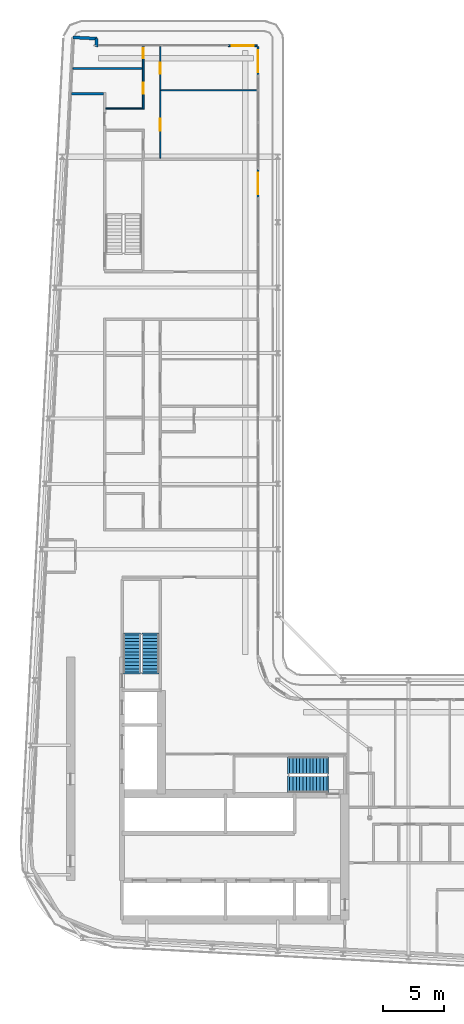
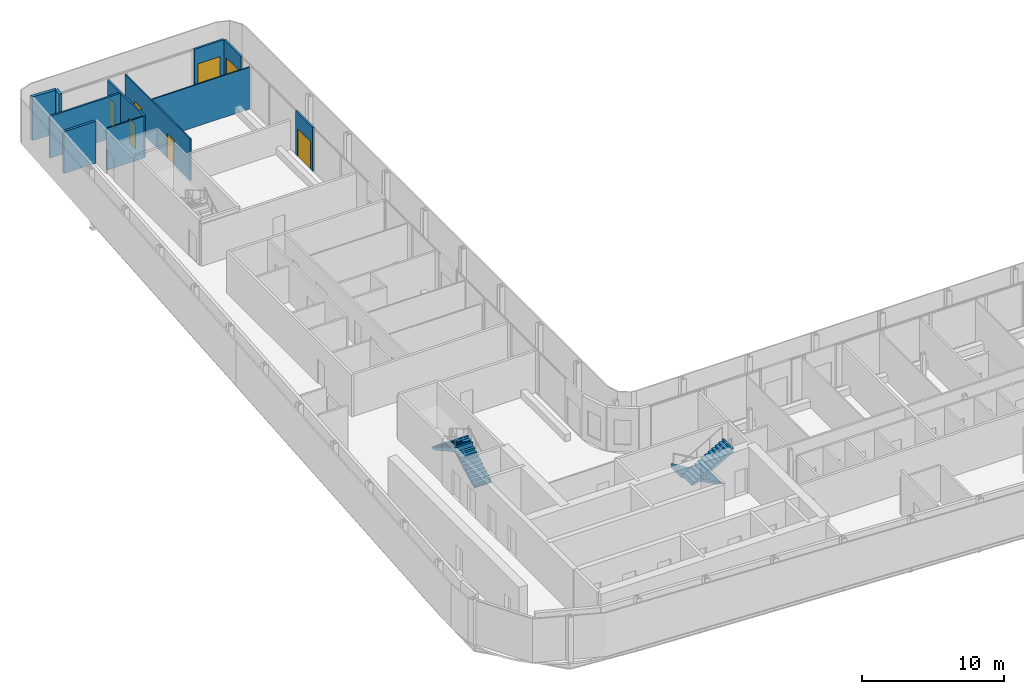
# One storey, part 15 of 23: 11 walls, 7 doors, 4 stair flights, 7 openings, 2 elements without a shape of their own.
"""IFC4 building model written with IfcOpenShell, lengths in metres."""

from ifc_helpers import new_model, si_unit, direction, frame, frame_2d, origin, place, context, subcontext, project, spatial, polyline, rectangle, outline, extrude, source, transform, mapped, material, layer, layer_set, type_object, element, fill, aggregate, save


model = new_model("IFC4")

# Units and contexts
model_context = context("Model", 3, precision=1e-05, world=origin(), true_north=direction((0.0, 1.0)))
body_context = subcontext(model_context, "Body", "Model", "MODEL_VIEW")
ifc_project = project(units=[si_unit("LENGTHUNIT", "METRE"), si_unit("AREAUNIT", "SQUARE_METRE"), si_unit("VOLUMEUNIT", "CUBIC_METRE"), si_unit("PLANEANGLEUNIT", "RADIAN"), si_unit("MASSUNIT", "GRAM", prefix="KILO")], contexts=[model_context])

# Site, building, storey
site_placement = place(None, origin())
site = spatial("IfcSite", under=ifc_project, at=site_placement, CompositionType="ELEMENT")
building_placement = place(site_placement, origin())
building = spatial("IfcBuilding", under=site, at=building_placement, Name="Kheshtan School and Residences Tower", CompositionType="ELEMENT")
storey_placement = place(building_placement, frame((0.0, 0.0, 259.10009765625)))
storey = spatial("IfcBuildingStorey", under=building, at=storey_placement, Name="L61", CompositionType="ELEMENT", Elevation=259.10009765625)

# Walls
ifc_material_1 = material(Name="Gypsum board on steel studs with fire boards", Category="steel")
ifc_layer_1 = layer(ifc_material_1, 0.199951171875)
ifc_layer_set_1 = layer_set([ifc_layer_1], Name="Corridor wall 200")
wall_type_1 = type_object("IfcWallType", Name="Corridor wall 200", PredefinedType="PARTITIONING", material=ifc_layer_set_1)
wall_1_placement = place(storey_placement, frame((30.584716796875, 94.0, 0.0), z_axis=(0.0, 0.0, 1.0), x_axis=(1.0, 0.0, 0.0)))
element("IfcWall", 1, at=wall_1_placement, inside=storey, type_object=wall_type_1, Name="Partition L61-002", PredefinedType="PARTITIONING", context=body_context, shape_type="SweptSolid", body=[
    extrude(rectangle(XDim=2.615234375, YDim=0.199951171875, at=frame_2d((1.3076171875, 0.0))), origin(), (0.0, 0.0, 1.0), 3.599853515625),
])
ifc_material_2 = material(Name="Concrete C40/50 with ceramic cladding and mineral wool insulation", Category="concrete")
ifc_layer_2 = layer(ifc_material_2, 0.25)
ifc_layer_set_2 = layer_set([ifc_layer_2], Name="External wall 250 ceramic clad")
wall_type_2 = type_object("IfcWallType", Name="External wall 250 ceramic clad", PredefinedType="SOLIDWALL", material=ifc_layer_set_2)
wall_2_placement = place(storey_placement, frame((30.705078125, 98.6640625, 0.0), z_axis=(0.0, 0.0, 1.0), x_axis=(0.998577785791, -0.053314216913, 0.0)))
element("IfcWall", 2, at=wall_2_placement, inside=storey, type_object=wall_type_2, Name="External wall L61 5", PredefinedType="SOLIDWALL", context=body_context, shape_type="SweptSolid", body=[
    extrude(rectangle(XDim=1.95068359375, YDim=0.25, at=frame_2d((0.975341796875, 0.0))), origin(), (0.0, 0.0, 1.0), 3.75),
])
wall_3_placement = place(storey_placement, frame((32.653076171875, 98.56005859375, 0.0), z_axis=(0.0, 0.0, 1.0), x_axis=(-0.054093451632, -0.998535877418, 0.0)))
element("IfcWall", 3, at=wall_3_placement, inside=storey, type_object=wall_type_2, Name="External wall L61 6", PredefinedType="SOLIDWALL", context=body_context, shape_type="SweptSolid", body=[
    extrude(rectangle(XDim=0.66796875, YDim=0.25, at=frame_2d((0.333984375, 0.0))), origin(), (0.0, 0.0, 1.0), 3.75),
])

# Wall, opening, door
ifc_material_3 = material(Name="Aluminium frame wall with insulated infill", Category="aluminium")
ifc_layer_3 = layer(ifc_material_3, 0.14990234375)
ifc_layer_set_3 = layer_set([ifc_layer_3], Name="Glazing frame wall 150")
wall_type_3 = type_object("IfcWallType", Name="Glazing frame wall 150", PredefinedType="SOLIDWALL", material=ifc_layer_set_3)
wall_4_placement = place(storey_placement, frame((43.5, 97.97509765625, 0.0), z_axis=(0.0, 0.0, 1.0), x_axis=(1.0, 0.0, 0.0)))
wall_4 = element("IfcWall", 4, at=wall_4_placement, inside=storey, type_object=wall_type_3, Name="Balcony door wall L61 7.1", PredefinedType="SOLIDWALL", context=body_context, shape_type="SweptSolid", body=[
    extrude(rectangle(XDim=2.39990234375, YDim=0.14990234375, at=frame_2d((1.199951171875, 0.0))), origin(), (0.0, 0.0, 1.0), 3.75),
])
opening_1_placement = place(wall_4_placement, frame((0.300048828125, 0.0, 0.0)))
opening_1 = element("IfcOpeningElement", 5, at=opening_1_placement, cuts=wall_4, Name="Opening BD", PredefinedType="OPENING", context=body_context, shape_type="SweptSolid", body=[
    extrude(rectangle(XDim=1.800048828125, YDim=2.39990234375, at=frame_2d((0.89990234375, 1.199951171875))), frame((0.0, 0.0849609375, 0.0), z_axis=(0.0, -1.0, 0.0), x_axis=(1.0, 0.0, 0.0)), (0.0, 0.0, 1.0), 0.169921875),
])
ifc_material_4 = material(Name="Clear low-e glass in thermally broken aluminium frame", Category="aluminium")
door_type_1 = type_object("IfcDoorType", Name="Balcony sliding door", OperationType="SLIDING_TO_LEFT", PredefinedType="DOOR", material=ifc_material_4)
shared_shape_1 = source(origin(), body_context, "Body", "SweptSolid", [
    extrude(rectangle(XDim=1.800048828125, YDim=2.39990234375, at=frame_2d((0.89990234375, 1.199951171875))), frame((0.0, 0.02490234375, 0.0), z_axis=(0.0, -1.0, 0.0), x_axis=(1.0, 0.0, 0.0)), (0.0, 0.0, 1.0), 0.050048828125),
])
door_1_placement = place(opening_1_placement, origin())
door_1 = element("IfcDoor", 6, at=door_1_placement, inside=storey, type_object=door_type_1, Name="Balcony door L61 7.1", OperationType="SLIDING_TO_LEFT", OverallHeight=2.39990234375, OverallWidth=1.800048828125, PredefinedType="DOOR", context=body_context, shape_type="MappedRepresentation", body=[
    mapped(shared_shape_1, transform((0.0, 0.0, 0.0), x_axis=(1.0, 0.0, 0.0), y_axis=(0.0, 1.0, 0.0), z_axis=(0.0, 0.0, 1.0), scale=1.0)),
])
fill(opening_1, door_1)

wall_5_placement = place(storey_placement, frame((45.97509765625, 97.89990234375, 0.0), z_axis=(0.0, 0.0, 1.0), x_axis=(0.0, -1.0, 0.0)))
wall_5 = element("IfcWall", 7, at=wall_5_placement, inside=storey, type_object=wall_type_3, Name="Balcony door wall L61 8.1", PredefinedType="SOLIDWALL", context=body_context, shape_type="SweptSolid", body=[
    extrude(rectangle(XDim=2.39990234375, YDim=0.14990234375, at=frame_2d((1.199951171875, 0.0))), origin(), (0.0, 0.0, 1.0), 3.75),
])
opening_2_placement = place(wall_5_placement, frame((0.300048828125, 0.0, 0.0)))
opening_2 = element("IfcOpeningElement", 8, at=opening_2_placement, cuts=wall_5, Name="Opening BD", PredefinedType="OPENING", context=body_context, shape_type="SweptSolid", body=[
    extrude(rectangle(XDim=1.800048828125, YDim=2.39990234375, at=frame_2d((0.89990234375, 1.199951171875))), frame((0.0, 0.0849609375, 0.0), z_axis=(0.0, -1.0, 0.0), x_axis=(1.0, 0.0, 0.0)), (0.0, 0.0, 1.0), 0.169921875),
])
door_2_placement = place(opening_2_placement, origin())
door_2 = element("IfcDoor", 9, at=door_2_placement, inside=storey, type_object=door_type_1, Name="Balcony door L61 8.1", OperationType="SLIDING_TO_LEFT", OverallHeight=2.39990234375, OverallWidth=1.800048828125, PredefinedType="DOOR", context=body_context, shape_type="MappedRepresentation", body=[
    mapped(shared_shape_1, transform((0.0, 0.0, 0.0), x_axis=(1.0, 0.0, 0.0), y_axis=(0.0, 1.0, 0.0), z_axis=(0.0, 0.0, 1.0), scale=1.0)),
])
fill(opening_2, door_2)

wall_6_placement = place(storey_placement, frame((45.97509765625, 87.805908203125, 0.0), z_axis=(0.0, 0.0, 1.0), x_axis=(0.0, -1.0, 0.0)))
wall_6 = element("IfcWall", 10, at=wall_6_placement, inside=storey, type_object=wall_type_3, Name="Balcony door wall L61 8.2", PredefinedType="SOLIDWALL", context=body_context, shape_type="SweptSolid", body=[
    extrude(rectangle(XDim=2.39990234375, YDim=0.14990234375, at=frame_2d((1.199951171875, 0.0))), origin(), (0.0, 0.0, 1.0), 3.75),
])
opening_3_placement = place(wall_6_placement, frame((0.300048828125, 0.0, 0.0)))
opening_3 = element("IfcOpeningElement", 11, at=opening_3_placement, cuts=wall_6, Name="Opening BD", PredefinedType="OPENING", context=body_context, shape_type="SweptSolid", body=[
    extrude(rectangle(XDim=1.800048828125, YDim=2.39990234375, at=frame_2d((0.89990234375, 1.199951171875))), frame((0.0, 0.0849609375, 0.0), z_axis=(0.0, -1.0, 0.0), x_axis=(1.0, 0.0, 0.0)), (0.0, 0.0, 1.0), 0.169921875),
])
door_3_placement = place(opening_3_placement, origin())
door_3 = element("IfcDoor", 12, at=door_3_placement, inside=storey, type_object=door_type_1, Name="Balcony door L61 8.2", OperationType="SLIDING_TO_LEFT", OverallHeight=2.39990234375, OverallWidth=1.800048828125, PredefinedType="DOOR", context=body_context, shape_type="MappedRepresentation", body=[
    mapped(shared_shape_1, transform((0.0, 0.0, 0.0), x_axis=(1.0, 0.0, 0.0), y_axis=(0.0, 1.0, 0.0), z_axis=(0.0, 0.0, 1.0), scale=1.0)),
])
fill(opening_3, door_3)

# Wall
ifc_material_5 = material(Name="Gypsum board on steel studs", Category="steel")
ifc_layer_4 = layer(ifc_material_5, 0.10009765625)
ifc_layer_set_4 = layer_set([ifc_layer_4], Name="Gypsum partition 100")
wall_type_4 = type_object("IfcWallType", Name="Gypsum partition 100", PredefinedType="PARTITIONING", material=ifc_layer_set_4)
wall_7_placement = place(storey_placement, frame((33.39990234375, 92.800048828125, 0.0), z_axis=(0.0, 0.0, 1.0), x_axis=(1.0, 0.0, 0.0)))
element("IfcWall", 13, at=wall_7_placement, inside=storey, type_object=wall_type_4, Name="Partition L61-013", PredefinedType="PARTITIONING", context=body_context, shape_type="SweptSolid", body=[
    extrude(rectangle(XDim=3.025146484375, YDim=0.10009765625, at=frame_2d((1.5126953125, 0.0))), origin(), (0.0, 0.0, 1.0), 3.599853515625),
])

# Wall, openings, doors
wall_8_placement = place(storey_placement, frame((37.89990234375, 88.699951171875, 0.0), z_axis=(0.0, 0.0, 1.0), x_axis=(0.0, 1.0, 0.0)))
wall_8 = element("IfcWall", 14, at=wall_8_placement, inside=storey, type_object=wall_type_4, Name="Partition L61-021", PredefinedType="PARTITIONING", context=body_context, shape_type="SweptSolid", body=[
    extrude(rectangle(XDim=9.199951171875, YDim=0.10009765625, at=frame_2d((4.60009765625, 0.0))), origin(), (0.0, 0.0, 1.0), 3.599853515625),
])
opening_4_placement = place(wall_8_placement, frame((6.949951171875, 0.0, 0.0)))
opening_4 = element("IfcOpeningElement", 15, at=opening_4_placement, cuts=wall_8, Name="Opening D61-036", PredefinedType="OPENING", context=body_context, shape_type="SweptSolid", body=[
    extrude(rectangle(XDim=0.89990234375, YDim=2.10009765625, at=frame_2d((0.449951171875, 1.050048828125))), frame((0.0, 0.06005859375, 0.0), z_axis=(0.0, -1.0, 0.0), x_axis=(1.0, 0.0, 0.0)), (0.0, 0.0, 1.0), 0.1201171875),
])
opening_5_placement = place(wall_8_placement, frame((2.25, 0.0, 0.0)))
opening_5 = element("IfcOpeningElement", 16, at=opening_5_placement, cuts=wall_8, Name="Opening D61-039", PredefinedType="OPENING", context=body_context, shape_type="SweptSolid", body=[
    extrude(rectangle(XDim=1.0, YDim=2.10009765625, at=frame_2d((0.5, 1.050048828125))), frame((0.0, 0.06005859375, 0.0), z_axis=(0.0, -1.0, 0.0), x_axis=(1.0, 0.0, 0.0)), (0.0, 0.0, 1.0), 0.1201171875),
])
ifc_material_6 = material(Name="Veneered timber door leaf", Category="wood")
door_type_2 = type_object("IfcDoorType", Name="Door 1000 x 2100", OperationType="SINGLE_SWING_LEFT", PredefinedType="DOOR", material=ifc_material_6)
shared_shape_2 = source(origin(), body_context, "Body", "SweptSolid", [
    extrude(rectangle(XDim=1.0, YDim=2.10009765625, at=frame_2d((0.5, 1.050048828125))), frame((0.0, 0.02490234375, 0.0), z_axis=(0.0, -1.0, 0.0), x_axis=(1.0, 0.0, 0.0)), (0.0, 0.0, 1.0), 0.050048828125),
])
door_4_placement = place(opening_5_placement, origin())
door_4 = element("IfcDoor", 17, at=door_4_placement, inside=storey, type_object=door_type_2, Name="Door D61-039", OperationType="SINGLE_SWING_RIGHT", OverallHeight=2.10009765625, OverallWidth=1.0, PredefinedType="DOOR", context=body_context, shape_type="MappedRepresentation", body=[
    mapped(shared_shape_2, transform((0.0, 0.0, 0.0), x_axis=(1.0, 0.0, 0.0), y_axis=(0.0, 1.0, 0.0), z_axis=(0.0, 0.0, 1.0), scale=1.0)),
])
fill(opening_5, door_4)
door_type_3 = type_object("IfcDoorType", Name="Door 900 x 2100", OperationType="SINGLE_SWING_LEFT", PredefinedType="DOOR", material=ifc_material_6)
shared_shape_3 = source(origin(), body_context, "Body", "SweptSolid", [
    extrude(rectangle(XDim=0.89990234375, YDim=2.10009765625, at=frame_2d((0.449951171875, 1.050048828125))), frame((0.0, 0.02490234375, 0.0), z_axis=(0.0, -1.0, 0.0), x_axis=(1.0, 0.0, 0.0)), (0.0, 0.0, 1.0), 0.050048828125),
])
door_5_placement = place(opening_4_placement, origin())
door_5 = element("IfcDoor", 18, at=door_5_placement, inside=storey, type_object=door_type_3, Name="Door D61-036", OperationType="SINGLE_SWING_RIGHT", OverallHeight=2.10009765625, OverallWidth=0.89990234375, PredefinedType="DOOR", context=body_context, shape_type="MappedRepresentation", body=[
    mapped(shared_shape_3, transform((0.0, 0.0, 0.0), x_axis=(1.0, 0.0, 0.0), y_axis=(0.0, 1.0, 0.0), z_axis=(0.0, 0.0, 1.0), scale=1.0)),
])
fill(opening_4, door_5)

# Walls
wall_9_placement = place(storey_placement, frame((37.949951171875, 94.300048828125, 0.0), z_axis=(0.0, 0.0, 1.0), x_axis=(1.0, 0.0, 0.0)))
element("IfcWall", 19, at=wall_9_placement, inside=storey, type_object=wall_type_4, Name="Partition L61-022", PredefinedType="PARTITIONING", context=body_context, shape_type="SweptSolid", body=[
    extrude(rectangle(XDim=7.949951171875, YDim=0.10009765625, at=frame_2d((3.97509765625, 0.0))), origin(), (0.0, 0.0, 1.0), 3.599853515625),
])
ifc_material_7 = material(Name="Moisture-resistant gypsum board on steel studs", Category="steel")
ifc_layer_5 = layer(ifc_material_7, 0.14990234375)
ifc_layer_set_5 = layer_set([ifc_layer_5], Name="Wet-room partition 150")
wall_type_5 = type_object("IfcWallType", Name="Wet-room partition 150", PredefinedType="PARTITIONING", material=ifc_layer_set_5)
wall_10_placement = place(storey_placement, frame((30.695068359375, 96.10009765625, 0.0), z_axis=(0.0, 0.0, 1.0), x_axis=(1.0, 0.0, 0.0)))
element("IfcWall", 20, at=wall_10_placement, inside=storey, type_object=wall_type_5, Name="Partition L61-001", PredefinedType="PARTITIONING", context=body_context, shape_type="SweptSolid", body=[
    extrude(rectangle(XDim=5.72998046875, YDim=0.14990234375, at=frame_2d((2.864990234375, 0.0))), origin(), (0.0, 0.0, 1.0), 3.599853515625),
])

# Wall, openings, doors
wall_11_placement = place(storey_placement, frame((36.5, 92.75, 0.0), z_axis=(0.0, 0.0, 1.0), x_axis=(0.0, 1.0, 0.0)))
wall_11 = element("IfcWall", 21, at=wall_11_placement, inside=storey, type_object=wall_type_5, Name="Partition L61-019", PredefinedType="PARTITIONING", context=body_context, shape_type="SweptSolid", body=[
    extrude(rectangle(XDim=5.14990234375, YDim=0.14990234375, at=frame_2d((2.574951171875, 0.0))), origin(), (0.0, 0.0, 1.0), 3.599853515625),
])
opening_6_placement = place(wall_11_placement, frame((1.25, 0.0, 0.0)))
opening_6 = element("IfcOpeningElement", 22, at=opening_6_placement, cuts=wall_11, Name="Opening D61-038", PredefinedType="OPENING", context=body_context, shape_type="SweptSolid", body=[
    extrude(rectangle(XDim=0.89990234375, YDim=2.10009765625, at=frame_2d((0.449951171875, 1.050048828125))), frame((0.0, 0.0849609375, 0.0), z_axis=(0.0, -1.0, 0.0), x_axis=(1.0, 0.0, 0.0)), (0.0, 0.0, 1.0), 0.169921875),
])
opening_7_placement = place(wall_11_placement, frame((4.199951171875, 0.0, 0.0)))
opening_7 = element("IfcOpeningElement", 23, at=opening_7_placement, cuts=wall_11, Name="Opening D61-040", PredefinedType="OPENING", context=body_context, shape_type="SweptSolid", body=[
    extrude(rectangle(XDim=0.800048828125, YDim=2.10009765625, at=frame_2d((0.39990234375, 1.050048828125))), frame((0.0, 0.0849609375, 0.0), z_axis=(0.0, -1.0, 0.0), x_axis=(1.0, 0.0, 0.0)), (0.0, 0.0, 1.0), 0.169921875),
])
door_type_4 = type_object("IfcDoorType", Name="Door 800 x 2100", OperationType="SINGLE_SWING_LEFT", PredefinedType="DOOR", material=ifc_material_6)
shared_shape_4 = source(origin(), body_context, "Body", "SweptSolid", [
    extrude(rectangle(XDim=0.800048828125, YDim=2.10009765625, at=frame_2d((0.39990234375, 1.050048828125))), frame((0.0, 0.02490234375, 0.0), z_axis=(0.0, -1.0, 0.0), x_axis=(1.0, 0.0, 0.0)), (0.0, 0.0, 1.0), 0.050048828125),
])
door_6_placement = place(opening_7_placement, origin())
door_6 = element("IfcDoor", 24, at=door_6_placement, inside=storey, type_object=door_type_4, Name="Door D61-040", OperationType="SINGLE_SWING_LEFT", OverallHeight=2.10009765625, OverallWidth=0.800048828125, PredefinedType="DOOR", context=body_context, shape_type="MappedRepresentation", body=[
    mapped(shared_shape_4, transform((0.0, 0.0, 0.0), x_axis=(1.0, 0.0, 0.0), y_axis=(0.0, 1.0, 0.0), z_axis=(0.0, 0.0, 1.0), scale=1.0)),
])
fill(opening_7, door_6)
door_7_placement = place(opening_6_placement, origin())
door_7 = element("IfcDoor", 25, at=door_7_placement, inside=storey, type_object=door_type_3, Name="Door D61-038", OperationType="SINGLE_SWING_RIGHT", OverallHeight=2.10009765625, OverallWidth=0.89990234375, PredefinedType="DOOR", context=body_context, shape_type="MappedRepresentation", body=[
    mapped(shared_shape_3, transform((0.0, 0.0, 0.0), x_axis=(1.0, 0.0, 0.0), y_axis=(0.0, 1.0, 0.0), z_axis=(0.0, 0.0, 1.0), scale=1.0)),
])
fill(opening_6, door_7)

# Stair, stair flights
ifc_material_8 = material(Name="Concrete C40/50", Category="concrete")
stair_type = type_object("IfcStairType", Name="Exit stair, half-turn", PredefinedType="HALF_TURN_STAIR", material=ifc_material_8)
stair_1_placement = place(storey_placement, origin())
stair_1 = element("IfcStair", 26, at=stair_1_placement, inside=storey, type_object=stair_type, Name="L61 Protected Exit Stair ST1", PredefinedType="HALF_TURN_STAIR")
ifc_layer_6 = layer(ifc_material_8, 0.14990234375)
ifc_layer_set_6 = layer_set([ifc_layer_6], Name="Stair flight 1400 Concrete C40/50")
stair_flight_type = type_object("IfcStairFlightType", Name="Stair flight 1400 Concrete C40/50", PredefinedType="STRAIGHT", material=ifc_layer_set_6)
stair_flight_1_placement = place(storey_placement, frame((51.64990234375, 38.550048828125, 0.0), z_axis=(0.0, 0.0, 1.0), x_axis=(-1.0, 0.0, 0.0)))
stair_flight_1 = element("IfcStairFlight", 27, at=stair_flight_1_placement, type_object=stair_flight_type, Name="ST1 flight 1", NumberOfRisers=12, NumberOfTreads=11, PredefinedType="STRAIGHT", RiserHeight=0.1625, TreadLength=0.28, context=body_context, shape_type="SweptSolid", body=[
    extrude(outline(polyline([(-0.14990234375, -0.10009765625), (-0.14990234375, 0.0), (0.0, 0.0), (0.0, 0.16259765625), (0.280029296875, 0.16259765625), (0.280029296875, 0.324951171875), (0.56005859375, 0.324951171875), (0.56005859375, 0.487548828125), (0.840087890625, 0.487548828125), (0.840087890625, 0.64990234375), (1.1201171875, 0.64990234375), (1.1201171875, 0.8125), (1.39990234375, 0.8125), (1.39990234375, 0.97509765625), (1.679931640625, 0.97509765625), (1.679931640625, 1.137451171875), (1.9599609375, 1.137451171875), (1.9599609375, 1.300048828125), (2.239990234375, 1.300048828125), (2.239990234375, 1.46240234375), (2.52001953125, 1.46240234375), (2.52001953125, 1.625), (2.800048828125, 1.625), (2.800048828125, 1.78759765625), (3.080078125, 1.78759765625), (3.080078125, 1.949951171875), (3.080078125, 1.969970703125), (3.22998046875, 1.969970703125), (3.22998046875, 1.6142578125), (0.298583984375, 0.0), (-0.14990234375, -0.10009765625)])), frame((0.0, 0.699951171875, 0.0), z_axis=(0.0, -1.0, 0.0), x_axis=(1.0, 0.0, 0.0)), (0.0, 0.0, 1.0), 1.39990234375),
])
stair_flight_2_placement = place(storey_placement, frame((48.570068359375, 37.0, 1.949951171875), z_axis=(0.0, 0.0, 1.0), x_axis=(1.0, 0.0, 0.0)))
stair_flight_2 = element("IfcStairFlight", 28, at=stair_flight_2_placement, type_object=stair_flight_type, Name="ST1 flight 2", NumberOfRisers=12, NumberOfTreads=11, PredefinedType="STRAIGHT", RiserHeight=0.1625, TreadLength=0.28, context=body_context, shape_type="SweptSolid", body=[
    extrude(outline(polyline([(-0.14990234375, -0.10009765625), (-0.14990234375, 0.0), (0.0, 0.0), (0.0, 0.16259765625), (0.280029296875, 0.16259765625), (0.280029296875, 0.324951171875), (0.56005859375, 0.324951171875), (0.56005859375, 0.487548828125), (0.840087890625, 0.487548828125), (0.840087890625, 0.64990234375), (1.1201171875, 0.64990234375), (1.1201171875, 0.8125), (1.39990234375, 0.8125), (1.39990234375, 0.97509765625), (1.679931640625, 0.97509765625), (1.679931640625, 1.137451171875), (1.9599609375, 1.137451171875), (1.9599609375, 1.300048828125), (2.239990234375, 1.300048828125), (2.239990234375, 1.46240234375), (2.52001953125, 1.46240234375), (2.52001953125, 1.625), (2.800048828125, 1.625), (2.800048828125, 1.78759765625), (3.080078125, 1.78759765625), (3.080078125, 1.949951171875), (3.080078125, 1.969970703125), (3.22998046875, 1.969970703125), (3.22998046875, 1.6142578125), (0.298583984375, 0.0), (-0.14990234375, -0.10009765625)])), frame((0.0, 0.699951171875, 0.0), z_axis=(0.0, -1.0, 0.0), x_axis=(1.0, 0.0, 0.0)), (0.0, 0.0, 1.0), 1.39990234375),
])
aggregate(stair_1, [stair_flight_1, stair_flight_2])

stair_2_placement = place(storey_placement, origin())
stair_2 = element("IfcStair", 29, at=stair_2_placement, inside=storey, type_object=stair_type, Name="L61 Protected Exit Stair ST2", PredefinedType="HALF_TURN_STAIR")
stair_flight_3_placement = place(storey_placement, frame((37.10009765625, 46.25, 0.0), z_axis=(0.0, 0.0, 1.0), x_axis=(0.0, 1.0, 0.0)))
stair_flight_3 = element("IfcStairFlight", 30, at=stair_flight_3_placement, type_object=stair_flight_type, Name="ST2 flight 1", NumberOfRisers=12, NumberOfTreads=11, PredefinedType="STRAIGHT", RiserHeight=0.1625, TreadLength=0.28, context=body_context, shape_type="SweptSolid", body=[
    extrude(outline(polyline([(-0.14990234375, -0.10009765625), (-0.14990234375, 0.0), (0.0, 0.0), (0.0, 0.16259765625), (0.280029296875, 0.16259765625), (0.280029296875, 0.324951171875), (0.56005859375, 0.324951171875), (0.56005859375, 0.487548828125), (0.840087890625, 0.487548828125), (0.840087890625, 0.64990234375), (1.1201171875, 0.64990234375), (1.1201171875, 0.8125), (1.39990234375, 0.8125), (1.39990234375, 0.97509765625), (1.679931640625, 0.97509765625), (1.679931640625, 1.137451171875), (1.9599609375, 1.137451171875), (1.9599609375, 1.300048828125), (2.239990234375, 1.300048828125), (2.239990234375, 1.46240234375), (2.52001953125, 1.46240234375), (2.52001953125, 1.625), (2.800048828125, 1.625), (2.800048828125, 1.78759765625), (3.080078125, 1.78759765625), (3.080078125, 1.949951171875), (3.080078125, 1.969970703125), (3.22998046875, 1.969970703125), (3.22998046875, 1.6142578125), (0.298583984375, 0.0), (-0.14990234375, -0.10009765625)])), frame((0.0, 0.699951171875, 0.0), z_axis=(0.0, -1.0, 0.0), x_axis=(1.0, 0.0, 0.0)), (0.0, 0.0, 1.0), 1.39990234375),
])
stair_flight_4_placement = place(storey_placement, frame((35.550048828125, 49.330078125, 1.949951171875), z_axis=(0.0, 0.0, 1.0), x_axis=(0.0, -1.0, 0.0)))
stair_flight_4 = element("IfcStairFlight", 31, at=stair_flight_4_placement, type_object=stair_flight_type, Name="ST2 flight 2", NumberOfRisers=12, NumberOfTreads=11, PredefinedType="STRAIGHT", RiserHeight=0.1625, TreadLength=0.28, context=body_context, shape_type="SweptSolid", body=[
    extrude(outline(polyline([(-0.14990234375, -0.10009765625), (-0.14990234375, 0.0), (0.0, 0.0), (0.0, 0.16259765625), (0.280029296875, 0.16259765625), (0.280029296875, 0.324951171875), (0.56005859375, 0.324951171875), (0.56005859375, 0.487548828125), (0.840087890625, 0.487548828125), (0.840087890625, 0.64990234375), (1.1201171875, 0.64990234375), (1.1201171875, 0.8125), (1.39990234375, 0.8125), (1.39990234375, 0.97509765625), (1.679931640625, 0.97509765625), (1.679931640625, 1.137451171875), (1.9599609375, 1.137451171875), (1.9599609375, 1.300048828125), (2.239990234375, 1.300048828125), (2.239990234375, 1.46240234375), (2.52001953125, 1.46240234375), (2.52001953125, 1.625), (2.800048828125, 1.625), (2.800048828125, 1.78759765625), (3.080078125, 1.78759765625), (3.080078125, 1.949951171875), (3.080078125, 1.969970703125), (3.22998046875, 1.969970703125), (3.22998046875, 1.6142578125), (0.298583984375, 0.0), (-0.14990234375, -0.10009765625)])), frame((0.0, 0.699951171875, 0.0), z_axis=(0.0, -1.0, 0.0), x_axis=(1.0, 0.0, 0.0)), (0.0, 0.0, 1.0), 1.39990234375),
])
aggregate(stair_2, [stair_flight_3, stair_flight_4])

save(model, "model.ifc")
